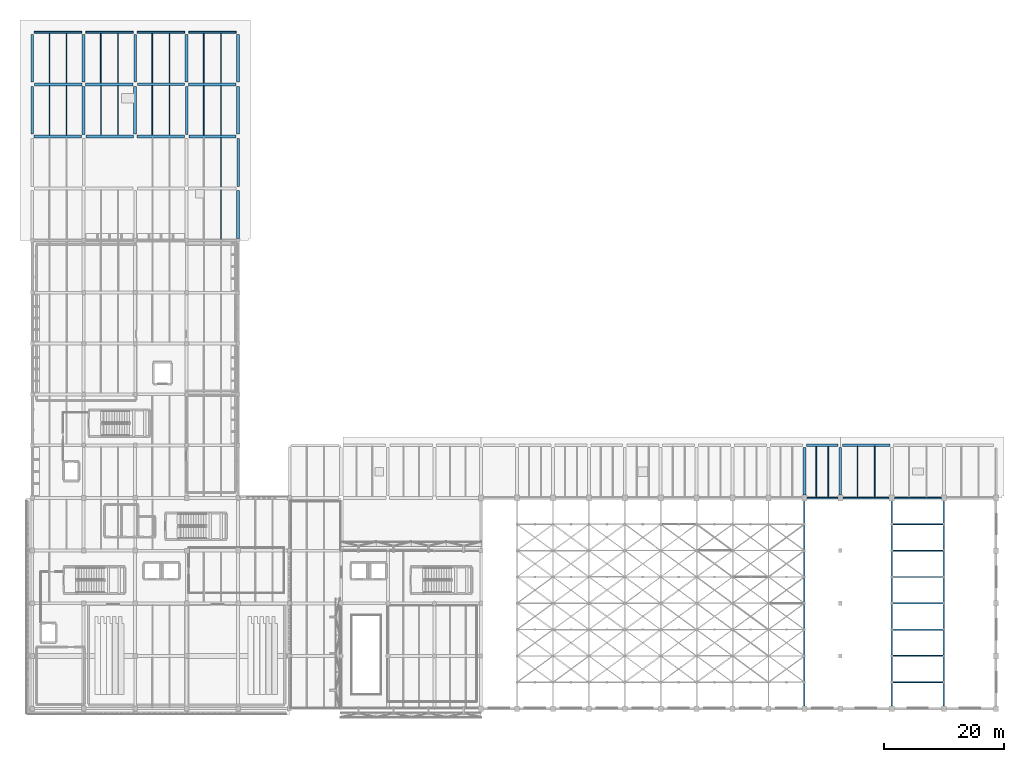
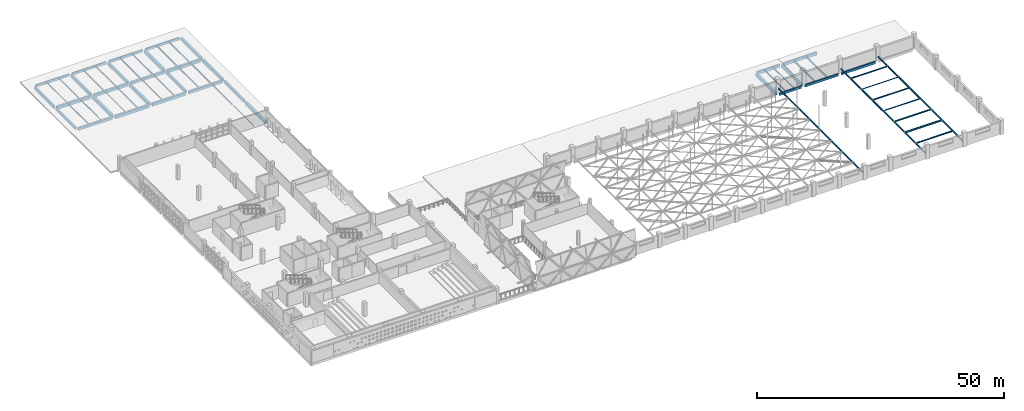
# One storey, part 65 of 93: 56 beams, 7 members.
"""IFC4 building model written with IfcOpenShell, lengths in metres."""

from ifc_helpers import new_model, si_unit, direction, frame, origin, origin_2d, place, context, subcontext, project, spatial, rectangle, hollow_rectangle, hollow_circle, i_section, extrude, material, material_profile, profile_set, type_object, element, save


model = new_model("IFC4")

# Units and contexts
model_context = context("Model", 3, precision=1e-05, world=origin(), true_north=direction((0.0, 1.0)))
body_context = subcontext(model_context, "Body", "Model", "MODEL_VIEW")
ifc_project = project(units=[si_unit("LENGTHUNIT", "METRE"), si_unit("AREAUNIT", "SQUARE_METRE"), si_unit("VOLUMEUNIT", "CUBIC_METRE"), si_unit("PLANEANGLEUNIT", "RADIAN"), si_unit("MASSUNIT", "GRAM", prefix="KILO")], contexts=[model_context])

# Site, building, storey
site_placement = place(None, origin())
site = spatial("IfcSite", under=ifc_project, at=site_placement, CompositionType="ELEMENT")
building_placement = place(site_placement, origin())
building = spatial("IfcBuilding", under=site, at=building_placement, Name="Varnakota Cinema and Media Centre", CompositionType="ELEMENT")
storey_placement = place(building_placement, frame((0.0, 0.0, 12.0)))
storey = spatial("IfcBuildingStorey", under=building, at=storey_placement, Name="L03", CompositionType="ELEMENT", Elevation=12.0)

# Beams
ifc_material_1 = material(Name="Concrete M35", Category="concrete")
ifc_material_profile_1 = material_profile(ifc_material_1, rectangle(XDim=0.449951171875, YDim=0.64990234375, at=origin_2d()), Name="RCB 450x650")
ifc_profile_set_1 = profile_set([ifc_material_profile_1], Name="Concrete M35")
beam_type_1 = type_object("IfcBeamType", Name="BM-RC-450x650", PredefinedType="BEAM", material=ifc_profile_set_1)
for number, where, z_axis, x_axis, name in (
    (1, (0.324951171875, 95.60009765625, -0.5849609375), (1.0, 0.0, 0.0), (0.0, 1.0, 0.0), "L03 girder A-B/12"),
    (2, (26.14990234375, 95.60009765625, -0.5849609375), (1.0, 0.0, 0.0), (0.0, 1.0, 0.0), "L03 girder D-E/12"),
    (3, (17.550048828125, 104.300048828125, -0.5849609375), (1.0, 0.0, 0.0), (0.0, 1.0, 0.0), "L03 girder C-D/13"),
):
    element("IfcBeam", number, at=place(storey_placement, frame(where, z_axis=z_axis, x_axis=x_axis)), inside=storey, type_object=beam_type_1, Name=name, PredefinedType="BEAM", context=body_context, shape_type="SweptSolid", body=[
        extrude(rectangle(XDim=0.449951171875, YDim=0.64990234375, at=origin_2d()), origin(), (0.0, 0.0, 1.0), 7.925048828125),
    ])
for number, where, z_axis, x_axis, name in (
    (4, (17.199951171875, 104.64990234375, -0.5849609375), (0.0, 1.0, 0.0), (-1.0, 0.0, 0.0), "L03 girder C/13-14"),
    (5, (25.800048828125, 95.949951171875, -0.5849609375), (0.0, 1.0, 0.0), (-1.0, 0.0, 0.0), "L03 girder D/12-13"),
    (6, (34.39990234375, 87.25, -0.5849609375), (0.0, 1.0, 0.0), (-1.0, 0.0, 0.0), "L03 girder E/11-12"),
):
    element("IfcBeam", number, at=place(storey_placement, frame(where, z_axis=z_axis, x_axis=x_axis)), inside=storey, type_object=beam_type_1, Name=name, PredefinedType="BEAM", context=body_context, shape_type="SweptSolid", body=[
        extrude(rectangle(XDim=0.449951171875, YDim=0.64990234375, at=origin_2d()), origin(), (0.0, 0.0, 1.0), 7.97509765625),
    ])
beam_1_placement = place(storey_placement, frame((135.0, 35.675048828125, -0.5849609375), z_axis=(0.0, 1.0, 0.0), x_axis=(-1.0, 0.0, 0.0)))
element("IfcBeam", 7, at=beam_1_placement, inside=storey, type_object=beam_type_1, Name="L03 girder V/5-6", PredefinedType="BEAM", context=body_context, shape_type="SweptSolid", body=[
    extrude(rectangle(XDim=0.449951171875, YDim=0.64990234375, at=origin_2d()), origin(), (0.0, 0.0, 1.0), 7.974853515625),
])
ifc_material_2 = material(Name="Concrete M35", Category="concrete")
ifc_material_profile_2 = material_profile(ifc_material_2, rectangle(XDim=0.5, YDim=0.699951171875, at=origin_2d()), Name="RCB 500x700")
ifc_profile_set_2 = profile_set([ifc_material_profile_2], Name="Concrete M35")
beam_type_2 = type_object("IfcBeamType", Name="BM-RC-500x700", PredefinedType="BEAM", material=ifc_profile_set_2)
for number, where, z_axis, x_axis, name in (
    (8, (17.52490234375, 95.60009765625, -0.610107421875), (1.0, 0.0, 0.0), (0.0, 1.0, 0.0), "L03 girder C-D/12"),
    (9, (8.925048828125, 104.300048828125, -0.610107421875), (1.0, 0.0, 0.0), (0.0, 1.0, 0.0), "L03 girder B-C/13"),
):
    element("IfcBeam", number, at=place(storey_placement, frame(where, z_axis=z_axis, x_axis=x_axis)), inside=storey, type_object=beam_type_2, Name=name, PredefinedType="BEAM", context=body_context, shape_type="SweptSolid", body=[
        extrude(rectangle(XDim=0.5, YDim=0.699951171875, at=origin_2d()), origin(), (0.0, 0.0, 1.0), 7.925048828125),
    ])
for number, where, z_axis, x_axis, name in (
    (10, (8.60009765625, 104.675048828125, -0.610107421875), (0.0, 1.0, 0.0), (-1.0, 0.0, 0.0), "L03 girder B/13-14"),
    (11, (17.199951171875, 95.97509765625, -0.610107421875), (0.0, 1.0, 0.0), (-1.0, 0.0, 0.0), "L03 girder C/12-13"),
):
    element("IfcBeam", number, at=place(storey_placement, frame(where, z_axis=z_axis, x_axis=x_axis)), inside=storey, type_object=beam_type_2, Name=name, PredefinedType="BEAM", context=body_context, shape_type="SweptSolid", body=[
        extrude(rectangle(XDim=0.5, YDim=0.699951171875, at=origin_2d()), origin(), (0.0, 0.0, 1.0), 7.974853515625),
    ])
for number, where, z_axis, x_axis, name in (
    (12, (34.39990234375, 78.574951171875, -0.610107421875), (0.0, 1.0, 0.0), (-1.0, 0.0, 0.0), "L03 girder E/10-11"),
    (13, (34.39990234375, 104.64990234375, -0.610107421875), (0.0, 1.0, 0.0), (-1.0, 0.0, 0.0), "L03 girder E/13-14"),
):
    element("IfcBeam", number, at=place(storey_placement, frame(where, z_axis=z_axis, x_axis=x_axis)), inside=storey, type_object=beam_type_2, Name=name, PredefinedType="BEAM", context=body_context, shape_type="SweptSolid", body=[
        extrude(rectangle(XDim=0.5, YDim=0.699951171875, at=origin_2d()), origin(), (0.0, 0.0, 1.0), 7.97509765625),
    ])
beam_2_placement = place(storey_placement, frame((129.0, 35.675048828125, -0.610107421875), z_axis=(0.0, 1.0, 0.0), x_axis=(-1.0, 0.0, 0.0)))
element("IfcBeam", 14, at=beam_2_placement, inside=storey, type_object=beam_type_2, Name="L03 girder U/5-6", PredefinedType="BEAM", context=body_context, shape_type="SweptSolid", body=[
    extrude(rectangle(XDim=0.5, YDim=0.699951171875, at=origin_2d()), origin(), (0.0, 0.0, 1.0), 7.949951171875),
])
ifc_material_3 = material(Name="Concrete M35", Category="concrete")
ifc_material_profile_3 = material_profile(ifc_material_3, rectangle(XDim=0.5, YDim=0.75, at=origin_2d()), Name="RCB 500x750")
ifc_profile_set_3 = profile_set([ifc_material_profile_3], Name="Concrete M35")
beam_type_3 = type_object("IfcBeamType", Name="BM-RC-500x750", PredefinedType="BEAM", material=ifc_profile_set_3)
beam_3_placement = place(storey_placement, frame((8.949951171875, 95.60009765625, -0.635009765625), z_axis=(1.0, 0.0, 0.0), x_axis=(0.0, 1.0, 0.0)))
element("IfcBeam", 15, at=beam_3_placement, inside=storey, type_object=beam_type_3, Name="L03 girder B-C/12", PredefinedType="BEAM", context=body_context, shape_type="SweptSolid", body=[
    extrude(rectangle(XDim=0.5, YDim=0.75, at=origin_2d()), origin(), (0.0, 0.0, 1.0), 7.925048828125),
])
beam_4_placement = place(storey_placement, frame((0.35009765625, 104.300048828125, -0.635009765625), z_axis=(1.0, 0.0, 0.0), x_axis=(0.0, 1.0, 0.0)))
element("IfcBeam", 16, at=beam_4_placement, inside=storey, type_object=beam_type_3, Name="L03 girder A-B/13", PredefinedType="BEAM", context=body_context, shape_type="SweptSolid", body=[
    extrude(rectangle(XDim=0.5, YDim=0.75, at=origin_2d()), origin(), (0.0, 0.0, 1.0), 7.9248046875),
])
beam_5_placement = place(storey_placement, frame((26.125, 104.300048828125, -0.635009765625), z_axis=(1.0, 0.0, 0.0), x_axis=(0.0, 1.0, 0.0)))
element("IfcBeam", 17, at=beam_5_placement, inside=storey, type_object=beam_type_3, Name="L03 girder D-E/13", PredefinedType="BEAM", context=body_context, shape_type="SweptSolid", body=[
    extrude(rectangle(XDim=0.5, YDim=0.75, at=origin_2d()), origin(), (0.0, 0.0, 1.0), 7.925048828125),
])
beam_6_placement = place(storey_placement, frame((8.60009765625, 95.949951171875, -0.635009765625), z_axis=(0.0, 1.0, 0.0), x_axis=(-1.0, 0.0, 0.0)))
element("IfcBeam", 18, at=beam_6_placement, inside=storey, type_object=beam_type_3, Name="L03 girder B/12-13", PredefinedType="BEAM", context=body_context, shape_type="SweptSolid", body=[
    extrude(rectangle(XDim=0.5, YDim=0.75, at=origin_2d()), origin(), (0.0, 0.0, 1.0), 7.97509765625),
])
for number, where, z_axis, x_axis, name in (
    (19, (25.800048828125, 104.675048828125, -0.635009765625), (0.0, 1.0, 0.0), (-1.0, 0.0, 0.0), "L03 girder D/13-14"),
    (20, (34.39990234375, 95.97509765625, -0.635009765625), (0.0, 1.0, 0.0), (-1.0, 0.0, 0.0), "L03 girder E/12-13"),
):
    element("IfcBeam", number, at=place(storey_placement, frame(where, z_axis=z_axis, x_axis=x_axis)), inside=storey, type_object=beam_type_3, Name=name, PredefinedType="BEAM", context=body_context, shape_type="SweptSolid", body=[
        extrude(rectangle(XDim=0.5, YDim=0.75, at=origin_2d()), origin(), (0.0, 0.0, 1.0), 7.974853515625),
    ])
ifc_material_4 = material(Name="Concrete M35", Category="concrete")
ifc_material_profile_4 = material_profile(ifc_material_4, rectangle(XDim=0.300048828125, YDim=0.60009765625, at=origin_2d()), Name="RCB 300x600")
ifc_profile_set_4 = profile_set([ifc_material_profile_4], Name="Concrete M35")
beam_type_4 = type_object("IfcBeamType", Name="BM-SP-300x600", PredefinedType="SPANDREL", material=ifc_profile_set_4)
beam_7_placement = place(storey_placement, frame((129.425048828125, 35.199951171875, -0.56005859375), z_axis=(1.0, 0.0, 0.0), x_axis=(0.0, 1.0, 0.0)))
element("IfcBeam", 21, at=beam_7_placement, inside=storey, type_object=beam_type_4, Name="L03 girder U-V/5", PredefinedType="SPANDREL", context=body_context, shape_type="SweptSolid", body=[
    extrude(rectangle(XDim=0.300048828125, YDim=0.60009765625, at=origin_2d()), origin(), (0.0, 0.0, 1.0), 5.14990234375),
])
beam_8_placement = place(storey_placement, frame((135.425048828125, 35.199951171875, -0.56005859375), z_axis=(1.0, 0.0, 0.0), x_axis=(0.0, 1.0, 0.0)))
element("IfcBeam", 22, at=beam_8_placement, inside=storey, type_object=beam_type_4, Name="L03 girder V-W/5", PredefinedType="SPANDREL", context=body_context, shape_type="SweptSolid", body=[
    extrude(rectangle(XDim=0.300048828125, YDim=0.60009765625, at=origin_2d()), origin(), (0.0, 0.0, 1.0), 7.75),
])
beam_9_placement = place(storey_placement, frame((144.02490234375, 35.199951171875, -0.56005859375), z_axis=(1.0, 0.0, 0.0), x_axis=(0.0, 1.0, 0.0)))
element("IfcBeam", 23, at=beam_9_placement, inside=storey, type_object=beam_type_4, Name="L03 girder W-X/5", PredefinedType="SPANDREL", context=body_context, shape_type="SweptSolid", body=[
    extrude(rectangle(XDim=0.300048828125, YDim=0.60009765625, at=origin_2d()), origin(), (0.0, 0.0, 1.0), 7.85009765625),
])
for number, where, z_axis, x_axis, name in (
    (24, (0.324951171875, 113.0, -0.56005859375), (1.0, 0.0, 0.0), (0.0, 1.0, 0.0), "L03 girder A-B/14"),
    (25, (8.949951171875, 113.0, -0.56005859375), (1.0, 0.0, 0.0), (0.0, 1.0, 0.0), "L03 girder B-C/14"),
    (26, (17.52490234375, 113.0, -0.56005859375), (1.0, 0.0, 0.0), (0.0, 1.0, 0.0), "L03 girder C-D/14"),
    (27, (26.14990234375, 113.0, -0.56005859375), (1.0, 0.0, 0.0), (0.0, 1.0, 0.0), "L03 girder D-E/14"),
):
    element("IfcBeam", number, at=place(storey_placement, frame(where, z_axis=z_axis, x_axis=x_axis)), inside=storey, type_object=beam_type_4, Name=name, PredefinedType="SPANDREL", context=body_context, shape_type="SweptSolid", body=[
        extrude(rectangle(XDim=0.300048828125, YDim=0.60009765625, at=origin_2d()), origin(), (0.0, 0.0, 1.0), 7.925048828125),
    ])
ifc_material_5 = material(Name="Concrete M40", Category="concrete")
ifc_material_profile_5 = material_profile(ifc_material_5, rectangle(XDim=0.35009765625, YDim=0.64990234375, at=origin_2d()), Name="RCB 350x650")
ifc_profile_set_5 = profile_set([ifc_material_profile_5], Name="Concrete M40")
beam_type_5 = type_object("IfcBeamType", Name="BM-SP-350x650", PredefinedType="SPANDREL", material=ifc_profile_set_5)
beam_10_placement = place(storey_placement, frame((0.0, 95.97509765625, -0.5849609375), z_axis=(0.0, 1.0, 0.0), x_axis=(-1.0, 0.0, 0.0)))
element("IfcBeam", 28, at=beam_10_placement, inside=storey, type_object=beam_type_5, Name="L03 girder A/12-13", PredefinedType="SPANDREL", context=body_context, shape_type="SweptSolid", body=[
    extrude(rectangle(XDim=0.35009765625, YDim=0.64990234375, at=origin_2d()), origin(), (0.0, 0.0, 1.0), 7.974853515625),
])
beam_11_placement = place(storey_placement, frame((0.0, 104.64990234375, -0.5849609375), z_axis=(0.0, 1.0, 0.0), x_axis=(-1.0, 0.0, 0.0)))
element("IfcBeam", 29, at=beam_11_placement, inside=storey, type_object=beam_type_5, Name="L03 girder A/13-14", PredefinedType="SPANDREL", context=body_context, shape_type="SweptSolid", body=[
    extrude(rectangle(XDim=0.35009765625, YDim=0.64990234375, at=origin_2d()), origin(), (0.0, 0.0, 1.0), 7.97509765625),
])
ifc_material_6 = material(Name="Concrete M40", Category="concrete")
ifc_material_profile_6 = material_profile(ifc_material_6, rectangle(XDim=0.35009765625, YDim=0.75, at=origin_2d()), Name="RCB 350x750")
ifc_profile_set_6 = profile_set([ifc_material_profile_6], Name="Concrete M40")
beam_type_6 = type_object("IfcBeamType", Name="BM-SP-350x750", PredefinedType="SPANDREL", material=ifc_profile_set_6)
beam_12_placement = place(storey_placement, frame((129.324951171875, 44.0, -0.635009765625), z_axis=(1.0, 0.0, 0.0), x_axis=(0.0, 1.0, 0.0)))
element("IfcBeam", 30, at=beam_12_placement, inside=storey, type_object=beam_type_6, Name="L03 girder U-V/6", PredefinedType="SPANDREL", context=body_context, shape_type="SweptSolid", body=[
    extrude(rectangle(XDim=0.35009765625, YDim=0.75, at=origin_2d()), origin(), (0.0, 0.0, 1.0), 5.324951171875),
])
beam_13_placement = place(storey_placement, frame((135.35009765625, 44.0, -0.635009765625), z_axis=(1.0, 0.0, 0.0), x_axis=(0.0, 1.0, 0.0)))
element("IfcBeam", 31, at=beam_13_placement, inside=storey, type_object=beam_type_6, Name="L03 girder V-W/6", PredefinedType="SPANDREL", context=body_context, shape_type="SweptSolid", body=[
    extrude(rectangle(XDim=0.35009765625, YDim=0.75, at=origin_2d()), origin(), (0.0, 0.0, 1.0), 7.9248046875),
])
ifc_material_7 = material(Name="Structural steel Grade 350 (E350)", Category="steel")
ifc_material_profile_7 = material_profile(ifc_material_7, i_section(OverallWidth=0.25, OverallDepth=0.25, WebThickness=0.0087890625, FlangeThickness=0.009765625, FilletRadius=0.010009765625, at=origin_2d()), Name="ISHB 250")
ifc_profile_set_7 = profile_set([ifc_material_profile_7], Name="Structural steel Grade 350 (E350)")
beam_type_7 = type_object("IfcBeamType", Name="BM-ST-ISHB250", PredefinedType="BEAM", material=ifc_profile_set_7)
beam_14_placement = place(storey_placement, frame((129.0, 0.449951171875, 1.300048828125), z_axis=(0.0, 1.0, 0.0), x_axis=(-1.0, 0.0, 0.0)))
element("IfcBeam", 32, at=beam_14_placement, inside=storey, type_object=beam_type_7, Name="V1 acoustic rigging main beam 10", PredefinedType="BEAM", context=body_context, shape_type="SweptSolid", body=[
    extrude(i_section(OverallWidth=0.25, OverallDepth=0.25, WebThickness=0.0087890625, FlangeThickness=0.009765625, FilletRadius=0.010009765625, at=origin_2d()), origin(), (0.0, 0.0, 1.0), 34.300048828125),
])
ifc_material_8 = material(Name="Structural steel Grade 350 (E350)", Category="steel")
ifc_material_profile_8 = material_profile(ifc_material_8, i_section(OverallWidth=0.25, OverallDepth=0.300048828125, WebThickness=0.009521484375, FlangeThickness=0.010498046875, FilletRadius=0.010986328125, at=origin_2d()), Name="ISHB 300")
ifc_profile_set_8 = profile_set([ifc_material_profile_8], Name="Structural steel Grade 350 (E350)")
beam_type_8 = type_object("IfcBeamType", Name="BM-ST-ISHB300", PredefinedType="BEAM", material=ifc_profile_set_8)
for number, where, z_axis, x_axis, name in (
    (33, (143.60009765625, 0.449951171875, 1.0), (0.0, 1.0, 0.0), (-1.0, 0.0, 0.0), "V2 broadcast lighting girder 1"),
    (34, (152.300048828125, 0.449951171875, 1.0), (0.0, 1.0, 0.0), (-1.0, 0.0, 0.0), "V2 broadcast lighting girder 2"),
):
    element("IfcBeam", number, at=place(storey_placement, frame(where, z_axis=z_axis, x_axis=x_axis)), inside=storey, type_object=beam_type_8, Name=name, PredefinedType="BEAM", context=body_context, shape_type="SweptSolid", body=[
        extrude(i_section(OverallWidth=0.25, OverallDepth=0.300048828125, WebThickness=0.009521484375, FlangeThickness=0.010498046875, FilletRadius=0.010986328125, at=origin_2d()), origin(), (0.0, 0.0, 1.0), 34.300048828125),
    ])
ifc_material_9 = material(Name="Structural steel Grade 350 (E350)", Category="steel")
ifc_material_profile_9 = material_profile(ifc_material_9, i_section(OverallWidth=0.110107421875, OverallDepth=0.22509765625, WebThickness=0.006591796875, FlangeThickness=0.01171875, FilletRadius=0.011962890625, at=origin_2d()), Name="ISMB 225")
ifc_profile_set_9 = profile_set([ifc_material_profile_9], Name="Structural steel Grade 350 (E350)")
beam_type_9 = type_object("IfcBeamType", Name="BM-ST-ISMB225", PredefinedType="JOIST", material=ifc_profile_set_9)
for number, where, z_axis, x_axis, name in (
    (35, (2.86669921875, 95.824951171875, -0.37255859375), (0.0, 1.0, 0.0), (-1.0, 0.0, 0.0), "L03 steel joist A-B/12-13 #1"),
    (36, (5.7333984375, 95.824951171875, -0.37255859375), (0.0, 1.0, 0.0), (-1.0, 0.0, 0.0), "L03 steel joist A-B/12-13 #2"),
):
    element("IfcBeam", number, at=place(storey_placement, frame(where, z_axis=z_axis, x_axis=x_axis)), inside=storey, type_object=beam_type_9, Name=name, PredefinedType="JOIST", context=body_context, shape_type="SweptSolid", body=[
        extrude(i_section(OverallWidth=0.110107421875, OverallDepth=0.22509765625, WebThickness=0.006591796875, FlangeThickness=0.01171875, FilletRadius=0.011962890625, at=origin_2d()), origin(), (0.0, 0.0, 1.0), 8.22509765625),
    ])
ifc_material_10 = material(Name="Structural steel Grade 350 (E350)", Category="steel")
ifc_material_profile_10 = material_profile(ifc_material_10, i_section(OverallWidth=0.125, OverallDepth=0.25, WebThickness=0.0068359375, FlangeThickness=0.012451171875, FilletRadius=0.012939453125, at=origin_2d()), Name="ISMB 250")
ifc_profile_set_10 = profile_set([ifc_material_profile_10], Name="Structural steel Grade 350 (E350)")
beam_type_10 = type_object("IfcBeamType", Name="BM-ST-ISMB250", PredefinedType="JOIST", material=ifc_profile_set_10)
for number, where, z_axis, x_axis, name in (
    (37, (2.86669921875, 104.550048828125, -0.385009765625), (0.0, 1.0, 0.0), (-1.0, 0.0, 0.0), "L03 steel joist A-B/13-14 #1"),
    (38, (5.7333984375, 104.550048828125, -0.385009765625), (0.0, 1.0, 0.0), (-1.0, 0.0, 0.0), "L03 steel joist A-B/13-14 #2"),
):
    element("IfcBeam", number, at=place(storey_placement, frame(where, z_axis=z_axis, x_axis=x_axis)), inside=storey, type_object=beam_type_10, Name=name, PredefinedType="JOIST", context=body_context, shape_type="SweptSolid", body=[
        extrude(i_section(OverallWidth=0.125, OverallDepth=0.25, WebThickness=0.0068359375, FlangeThickness=0.012451171875, FilletRadius=0.012939453125, at=origin_2d()), origin(), (0.0, 0.0, 1.0), 8.300048828125),
    ])
for number, where, z_axis, x_axis, name in (
    (39, (11.466796875, 95.85009765625, -0.385009765625), (0.0, 1.0, 0.0), (-1.0, 0.0, 0.0), "L03 steel joist B-C/12-13 #1"),
    (40, (14.333251953125, 95.85009765625, -0.385009765625), (0.0, 1.0, 0.0), (-1.0, 0.0, 0.0), "L03 steel joist B-C/12-13 #2"),
    (41, (31.533203125, 78.449951171875, -0.385009765625), (0.0, 1.0, 0.0), (-1.0, 0.0, 0.0), "L03 steel joist D-E/10-11 #2"),
):
    element("IfcBeam", number, at=place(storey_placement, frame(where, z_axis=z_axis, x_axis=x_axis)), inside=storey, type_object=beam_type_10, Name=name, PredefinedType="JOIST", context=body_context, shape_type="SweptSolid", body=[
        extrude(i_section(OverallWidth=0.125, OverallDepth=0.25, WebThickness=0.0068359375, FlangeThickness=0.012451171875, FilletRadius=0.012939453125, at=origin_2d()), origin(), (0.0, 0.0, 1.0), 8.199951171875),
    ])
ifc_material_11 = material(Name="Structural steel Grade 350 (E350)", Category="steel")
ifc_material_profile_11 = material_profile(ifc_material_11, i_section(OverallWidth=0.139892578125, OverallDepth=0.300048828125, WebThickness=0.0078125, FlangeThickness=0.01318359375, FilletRadius=0.013916015625, at=origin_2d()), Name="ISMB 300")
ifc_profile_set_11 = profile_set([ifc_material_profile_11], Name="Structural steel Grade 350 (E350)")
beam_type_11 = type_object("IfcBeamType", Name="BM-ST-ISMB300", PredefinedType="JOIST", material=ifc_profile_set_11)
for number, where, z_axis, x_axis, name in (
    (42, (11.466796875, 104.550048828125, -0.409912109375), (0.0, 1.0, 0.0), (-1.0, 0.0, 0.0), "L03 steel joist B-C/13-14 #1"),
    (43, (14.333251953125, 104.550048828125, -0.409912109375), (0.0, 1.0, 0.0), (-1.0, 0.0, 0.0), "L03 steel joist B-C/13-14 #2"),
):
    element("IfcBeam", number, at=place(storey_placement, frame(where, z_axis=z_axis, x_axis=x_axis)), inside=storey, type_object=beam_type_11, Name=name, PredefinedType="JOIST", context=body_context, shape_type="SweptSolid", body=[
        extrude(i_section(OverallWidth=0.139892578125, OverallDepth=0.300048828125, WebThickness=0.0078125, FlangeThickness=0.01318359375, FilletRadius=0.013916015625, at=origin_2d()), origin(), (0.0, 0.0, 1.0), 8.300048828125),
    ])
for number, where, z_axis, x_axis, name in (
    (44, (20.066650390625, 95.85009765625, -0.409912109375), (0.0, 1.0, 0.0), (-1.0, 0.0, 0.0), "L03 steel joist C-D/12-13 #1"),
    (45, (22.933349609375, 95.85009765625, -0.409912109375), (0.0, 1.0, 0.0), (-1.0, 0.0, 0.0), "L03 steel joist C-D/12-13 #2"),
):
    element("IfcBeam", number, at=place(storey_placement, frame(where, z_axis=z_axis, x_axis=x_axis)), inside=storey, type_object=beam_type_11, Name=name, PredefinedType="JOIST", context=body_context, shape_type="SweptSolid", body=[
        extrude(i_section(OverallWidth=0.139892578125, OverallDepth=0.300048828125, WebThickness=0.0078125, FlangeThickness=0.01318359375, FilletRadius=0.013916015625, at=origin_2d()), origin(), (0.0, 0.0, 1.0), 8.224853515625),
    ])
beam_15_placement = place(storey_placement, frame((31.533203125, 87.14990234375, -0.409912109375), z_axis=(0.0, 1.0, 0.0), x_axis=(-1.0, 0.0, 0.0)))
element("IfcBeam", 46, at=beam_15_placement, inside=storey, type_object=beam_type_11, Name="L03 steel joist D-E/11-12 #2", PredefinedType="JOIST", context=body_context, shape_type="SweptSolid", body=[
    extrude(i_section(OverallWidth=0.139892578125, OverallDepth=0.300048828125, WebThickness=0.0078125, FlangeThickness=0.01318359375, FilletRadius=0.013916015625, at=origin_2d()), origin(), (0.0, 0.0, 1.0), 8.22509765625),
])
ifc_material_12 = material(Name="Structural steel Grade 350 (E350)", Category="steel")
ifc_material_profile_12 = material_profile(ifc_material_12, i_section(OverallWidth=0.139892578125, OverallDepth=0.35009765625, WebThickness=0.008056640625, FlangeThickness=0.01416015625, FilletRadius=0.013916015625, at=origin_2d()), Name="ISMB 350")
ifc_profile_set_12 = profile_set([ifc_material_profile_12], Name="Structural steel Grade 350 (E350)")
beam_type_12 = type_object("IfcBeamType", Name="BM-ST-ISMB350", PredefinedType="JOIST", material=ifc_profile_set_12)
for number, where, z_axis, x_axis, name in (
    (47, (20.066650390625, 104.52490234375, -0.43505859375), (0.0, 1.0, 0.0), (-1.0, 0.0, 0.0), "L03 steel joist C-D/13-14 #1"),
    (48, (22.933349609375, 104.52490234375, -0.43505859375), (0.0, 1.0, 0.0), (-1.0, 0.0, 0.0), "L03 steel joist C-D/13-14 #2"),
):
    element("IfcBeam", number, at=place(storey_placement, frame(where, z_axis=z_axis, x_axis=x_axis)), inside=storey, type_object=beam_type_12, Name=name, PredefinedType="JOIST", context=body_context, shape_type="SweptSolid", body=[
        extrude(i_section(OverallWidth=0.139892578125, OverallDepth=0.35009765625, WebThickness=0.008056640625, FlangeThickness=0.01416015625, FilletRadius=0.013916015625, at=origin_2d()), origin(), (0.0, 0.0, 1.0), 8.3251953125),
    ])
for number, where, z_axis, x_axis, name in (
    (49, (28.666748046875, 95.824951171875, -0.43505859375), (0.0, 1.0, 0.0), (-1.0, 0.0, 0.0), "L03 steel joist D-E/12-13 #1"),
    (50, (31.533203125, 95.824951171875, -0.43505859375), (0.0, 1.0, 0.0), (-1.0, 0.0, 0.0), "L03 steel joist D-E/12-13 #2"),
):
    element("IfcBeam", number, at=place(storey_placement, frame(where, z_axis=z_axis, x_axis=x_axis)), inside=storey, type_object=beam_type_12, Name=name, PredefinedType="JOIST", context=body_context, shape_type="SweptSolid", body=[
        extrude(i_section(OverallWidth=0.139892578125, OverallDepth=0.35009765625, WebThickness=0.008056640625, FlangeThickness=0.01416015625, FilletRadius=0.013916015625, at=origin_2d()), origin(), (0.0, 0.0, 1.0), 8.22509765625),
    ])
ifc_material_13 = material(Name="Structural steel Grade 350 (E350)", Category="steel")
ifc_material_profile_13 = material_profile(ifc_material_13, i_section(OverallWidth=0.139892578125, OverallDepth=0.39990234375, WebThickness=0.0087890625, FlangeThickness=0.01611328125, FilletRadius=0.013916015625, at=origin_2d()), Name="ISMB 400")
ifc_profile_set_13 = profile_set([ifc_material_profile_13], Name="Structural steel Grade 350 (E350)")
beam_type_13 = type_object("IfcBeamType", Name="BM-ST-ISMB400", PredefinedType="JOIST", material=ifc_profile_set_13)
for number, where, z_axis, x_axis, name in (
    (51, (28.666748046875, 104.550048828125, -0.4599609375), (0.0, 1.0, 0.0), (-1.0, 0.0, 0.0), "L03 steel joist D-E/13-14 #1"),
    (52, (31.533203125, 104.550048828125, -0.4599609375), (0.0, 1.0, 0.0), (-1.0, 0.0, 0.0), "L03 steel joist D-E/13-14 #2"),
):
    element("IfcBeam", number, at=place(storey_placement, frame(where, z_axis=z_axis, x_axis=x_axis)), inside=storey, type_object=beam_type_13, Name=name, PredefinedType="JOIST", context=body_context, shape_type="SweptSolid", body=[
        extrude(i_section(OverallWidth=0.139892578125, OverallDepth=0.39990234375, WebThickness=0.0087890625, FlangeThickness=0.01611328125, FilletRadius=0.013916015625, at=origin_2d()), origin(), (0.0, 0.0, 1.0), 8.300048828125),
    ])
for number, where, z_axis, x_axis, name in (
    (53, (131.0, 35.35009765625, -0.4599609375), (0.0, 1.0, 0.0), (-1.0, 0.0, 0.0), "L03 steel joist U-V/5-6 #1"),
    (54, (133.0, 35.35009765625, -0.4599609375), (0.0, 1.0, 0.0), (-1.0, 0.0, 0.0), "L03 steel joist U-V/5-6 #2"),
):
    element("IfcBeam", number, at=place(storey_placement, frame(where, z_axis=z_axis, x_axis=x_axis)), inside=storey, type_object=beam_type_13, Name=name, PredefinedType="JOIST", context=body_context, shape_type="SweptSolid", body=[
        extrude(i_section(OverallWidth=0.139892578125, OverallDepth=0.39990234375, WebThickness=0.0087890625, FlangeThickness=0.01611328125, FilletRadius=0.013916015625, at=origin_2d()), origin(), (0.0, 0.0, 1.0), 8.474853515625),
    ])
ifc_material_14 = material(Name="Structural steel Grade 350 (E350)", Category="steel")
ifc_material_profile_14 = material_profile(ifc_material_14, i_section(OverallWidth=0.14990234375, OverallDepth=0.449951171875, WebThickness=0.009521484375, FlangeThickness=0.017333984375, FilletRadius=0.014892578125, at=origin_2d()), Name="ISMB 450")
ifc_profile_set_14 = profile_set([ifc_material_profile_14], Name="Structural steel Grade 350 (E350)")
beam_type_14 = type_object("IfcBeamType", Name="BM-ST-ISMB450", PredefinedType="BEAM", material=ifc_profile_set_14)
for number, where, z_axis, x_axis, name in (
    (55, (137.86669921875, 35.35009765625, -0.485107421875), (0.0, 1.0, 0.0), (-1.0, 0.0, 0.0), "L03 steel joist V-W/5-6 #1"),
    (56, (140.7333984375, 35.35009765625, -0.485107421875), (0.0, 1.0, 0.0), (-1.0, 0.0, 0.0), "L03 steel joist V-W/5-6 #2"),
):
    element("IfcBeam", number, at=place(storey_placement, frame(where, z_axis=z_axis, x_axis=x_axis)), inside=storey, type_object=beam_type_14, Name=name, PredefinedType="BEAM", context=body_context, shape_type="SweptSolid", body=[
        extrude(i_section(OverallWidth=0.14990234375, OverallDepth=0.449951171875, WebThickness=0.009521484375, FlangeThickness=0.017333984375, FilletRadius=0.014892578125, at=origin_2d()), origin(), (0.0, 0.0, 1.0), 8.474853515625),
    ])

# Members
ifc_material_15 = material(Name="Structural steel S355 (YSt 355)", Category="steel")
ifc_material_profile_15 = material_profile(ifc_material_15, hollow_circle(Radius=0.109619140625, WallThickness=0.008056640625, at=origin_2d()), Name="CHS 219.1x8.0")
ifc_profile_set_15 = profile_set([ifc_material_profile_15], Name="Structural steel S355 (YSt 355)")
member_type_1 = type_object("IfcMemberType", Name="MEM-ST-CHS219_1x8_0", PredefinedType="BRACE", material=ifc_profile_set_15)
member_1_placement = place(storey_placement, frame((143.60009765625, 26.39990234375, 1.0), z_axis=(1.0, 0.0, 0.0), x_axis=(0.0, 1.0, 0.0)))
element("IfcMember", 57, at=member_1_placement, inside=storey, type_object=member_type_1, Name="V2 lighting grid cross member 6", PredefinedType="BRACE", context=body_context, shape_type="SweptSolid", body=[
    extrude(hollow_circle(Radius=0.109619140625, WallThickness=0.008056640625, at=origin_2d()), origin(), (0.0, 0.0, 1.0), 8.699951171875),
])
ifc_material_16 = material(Name="Structural steel Grade 350 (E350)", Category="steel")
ifc_material_profile_16 = material_profile(ifc_material_16, i_section(OverallWidth=0.25, OverallDepth=0.25, WebThickness=0.0087890625, FlangeThickness=0.009765625, FilletRadius=0.010009765625, at=origin_2d()), Name="ISHB 250")
ifc_profile_set_16 = profile_set([ifc_material_profile_16], Name="Structural steel Grade 350 (E350)")
member_type_2 = type_object("IfcMemberType", Name="MEM-ST-ISHB250", PredefinedType="CHORD", material=ifc_profile_set_16)
member_2_placement = place(storey_placement, frame((143.60009765625, 13.199951171875, 1.0), z_axis=(1.0, 0.0, 0.0), x_axis=(0.0, 1.0, 0.0)))
element("IfcMember", 58, at=member_2_placement, inside=storey, type_object=member_type_2, Name="V2 lighting grid cross member 3", PredefinedType="CHORD", context=body_context, shape_type="SweptSolid", body=[
    extrude(i_section(OverallWidth=0.25, OverallDepth=0.25, WebThickness=0.0087890625, FlangeThickness=0.009765625, FilletRadius=0.010009765625, at=origin_2d()), origin(), (0.0, 0.0, 1.0), 8.699951171875),
])
ifc_material_17 = material(Name="Structural steel Grade 350 (E350)", Category="steel")
ifc_material_profile_17 = material_profile(ifc_material_17, i_section(OverallWidth=0.10009765625, OverallDepth=0.199951171875, WebThickness=0.005615234375, FlangeThickness=0.0107421875, FilletRadius=0.010986328125, at=origin_2d()), Name="ISMB 200")
ifc_profile_set_17 = profile_set([ifc_material_profile_17], Name="Structural steel Grade 350 (E350)")
member_type_3 = type_object("IfcMemberType", Name="MEM-ST-ISMB200", PredefinedType="RAFTER", material=ifc_profile_set_17)
member_3_placement = place(storey_placement, frame((143.60009765625, 30.800048828125, 1.0), z_axis=(1.0, 0.0, 0.0), x_axis=(0.0, 1.0, 0.0)))
element("IfcMember", 59, at=member_3_placement, inside=storey, type_object=member_type_3, Name="V2 lighting grid cross member 7", PredefinedType="RAFTER", context=body_context, shape_type="SweptSolid", body=[
    extrude(i_section(OverallWidth=0.10009765625, OverallDepth=0.199951171875, WebThickness=0.005615234375, FlangeThickness=0.0107421875, FilletRadius=0.010986328125, at=origin_2d()), origin(), (0.0, 0.0, 1.0), 8.699951171875),
])
ifc_material_18 = material(Name="Structural steel Grade 350 (E350)", Category="steel")
ifc_material_profile_18 = material_profile(ifc_material_18, i_section(OverallWidth=0.110107421875, OverallDepth=0.22509765625, WebThickness=0.006591796875, FlangeThickness=0.01171875, FilletRadius=0.011962890625, at=origin_2d()), Name="ISMB 225")
ifc_profile_set_18 = profile_set([ifc_material_profile_18], Name="Structural steel Grade 350 (E350)")
member_type_4 = type_object("IfcMemberType", Name="MEM-ST-ISMB225", PredefinedType="RAFTER", material=ifc_profile_set_18)
member_4_placement = place(storey_placement, frame((143.60009765625, 4.39990234375, 1.0), z_axis=(1.0, 0.0, 0.0), x_axis=(0.0, 1.0, 0.0)))
element("IfcMember", 60, at=member_4_placement, inside=storey, type_object=member_type_4, Name="V2 lighting grid cross member 1", PredefinedType="RAFTER", context=body_context, shape_type="SweptSolid", body=[
    extrude(i_section(OverallWidth=0.110107421875, OverallDepth=0.22509765625, WebThickness=0.006591796875, FlangeThickness=0.01171875, FilletRadius=0.011962890625, at=origin_2d()), origin(), (0.0, 0.0, 1.0), 8.699951171875),
])
ifc_material_19 = material(Name="Structural steel Grade 350 (E350)", Category="steel")
ifc_material_profile_19 = material_profile(ifc_material_19, i_section(OverallWidth=0.14990234375, OverallDepth=0.449951171875, WebThickness=0.009521484375, FlangeThickness=0.017333984375, FilletRadius=0.014892578125, at=origin_2d()), Name="ISMB 450")
ifc_profile_set_19 = profile_set([ifc_material_profile_19], Name="Structural steel Grade 350 (E350)")
member_type_5 = type_object("IfcMemberType", Name="MEM-ST-ISMB450", PredefinedType="RAFTER", material=ifc_profile_set_19)
member_5_placement = place(storey_placement, frame((143.60009765625, 8.800048828125, 1.0), z_axis=(1.0, 0.0, 0.0), x_axis=(0.0, 1.0, 0.0)))
element("IfcMember", 61, at=member_5_placement, inside=storey, type_object=member_type_5, Name="V2 lighting grid cross member 2", PredefinedType="RAFTER", context=body_context, shape_type="SweptSolid", body=[
    extrude(i_section(OverallWidth=0.14990234375, OverallDepth=0.449951171875, WebThickness=0.009521484375, FlangeThickness=0.017333984375, FilletRadius=0.014892578125, at=origin_2d()), origin(), (0.0, 0.0, 1.0), 8.699951171875),
])
ifc_material_20 = material(Name="Structural steel S355 (YSt 355)", Category="steel")
ifc_material_profile_20 = material_profile(ifc_material_20, hollow_rectangle(XDim=0.199951171875, YDim=0.300048828125, WallThickness=0.010009765625, InnerFilletRadius=0.010009765625, OuterFilletRadius=0.02001953125, at=origin_2d()), Name="RHS 300x200x10")
ifc_profile_set_20 = profile_set([ifc_material_profile_20], Name="Structural steel S355 (YSt 355)")
member_type_6 = type_object("IfcMemberType", Name="MEM-ST-RHS300x200x10", PredefinedType="PURLIN", material=ifc_profile_set_20)
member_6_placement = place(storey_placement, frame((143.60009765625, 22.0, 1.0), z_axis=(1.0, 0.0, 0.0), x_axis=(0.0, 1.0, 0.0)))
element("IfcMember", 62, at=member_6_placement, inside=storey, type_object=member_type_6, Name="V2 lighting grid cross member 5", PredefinedType="PURLIN", context=body_context, shape_type="SweptSolid", body=[
    extrude(hollow_rectangle(XDim=0.199951171875, YDim=0.300048828125, WallThickness=0.010009765625, InnerFilletRadius=0.010009765625, OuterFilletRadius=0.02001953125, at=origin_2d()), origin(), (0.0, 0.0, 1.0), 8.699951171875),
])
ifc_material_21 = material(Name="Structural steel S355 (YSt 355)", Category="steel")
ifc_material_profile_21 = material_profile(ifc_material_21, hollow_rectangle(XDim=0.199951171875, YDim=0.199951171875, WallThickness=0.010009765625, InnerFilletRadius=0.010009765625, OuterFilletRadius=0.02001953125, at=origin_2d()), Name="SHS 200x200x10")
ifc_profile_set_21 = profile_set([ifc_material_profile_21], Name="Structural steel S355 (YSt 355)")
member_type_7 = type_object("IfcMemberType", Name="MEM-ST-SHS200x200x10", PredefinedType="STRUT", material=ifc_profile_set_21)
member_7_placement = place(storey_placement, frame((143.60009765625, 17.60009765625, 1.0), z_axis=(1.0, 0.0, 0.0), x_axis=(0.0, 1.0, 0.0)))
element("IfcMember", 63, at=member_7_placement, inside=storey, type_object=member_type_7, Name="V2 lighting grid cross member 4", PredefinedType="STRUT", context=body_context, shape_type="SweptSolid", body=[
    extrude(hollow_rectangle(XDim=0.199951171875, YDim=0.199951171875, WallThickness=0.010009765625, InnerFilletRadius=0.010009765625, OuterFilletRadius=0.02001953125, at=origin_2d()), origin(), (0.0, 0.0, 1.0), 8.699951171875),
])

save(model, "model.ifc")
